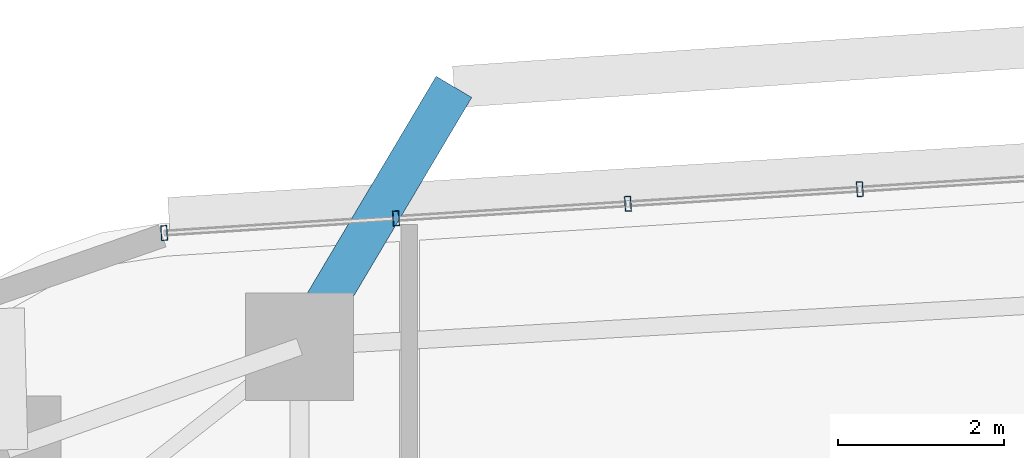
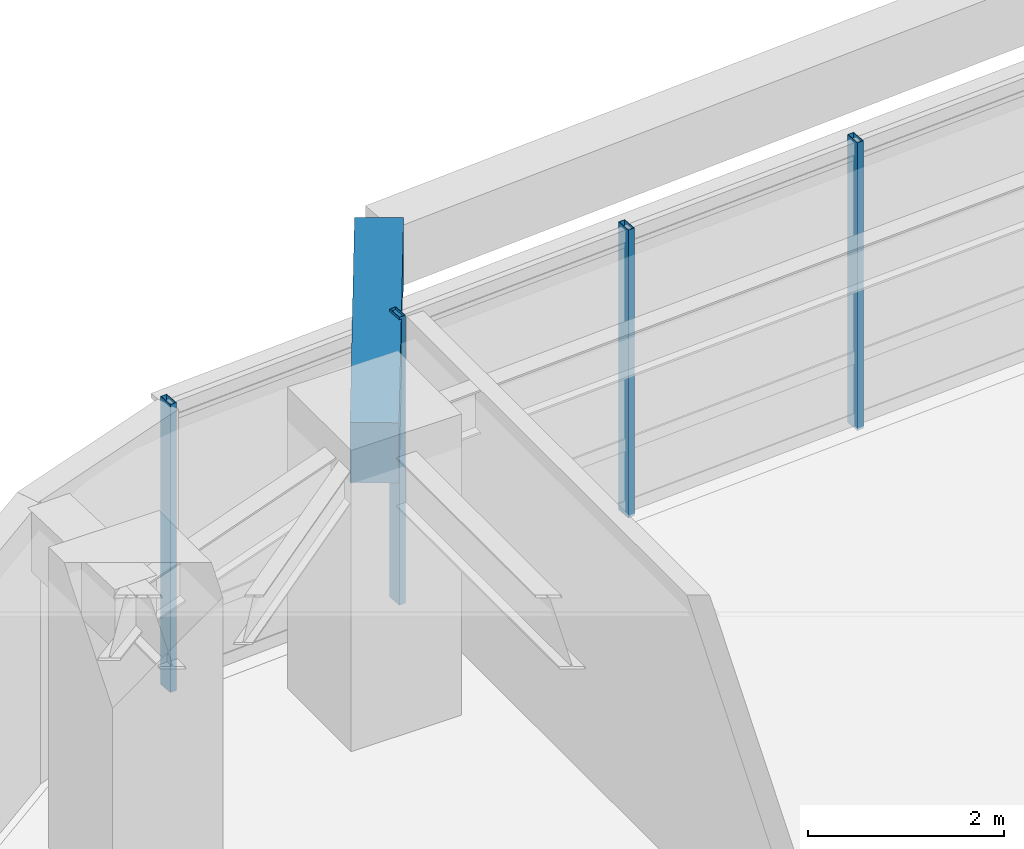
# One storey, part 2 of 11: 4 members, 1 beam, 1 element without a shape of its own.
"""IFC4 building model written with IfcOpenShell, lengths in metres."""

from ifc_helpers import new_model, si_unit, direction, frame, origin, origin_2d, place, context, subcontext, project, spatial, rectangle, hollow_rectangle, extrude, material, material_profile, profile_set, type_object, element, aggregate, save


model = new_model("IFC4")

# Units and contexts
model_context = context("Model", 3, precision=1e-05, world=origin(), true_north=direction((0.0, 1.0)))
body_context = subcontext(model_context, "Body", "Model", "MODEL_VIEW")
ifc_project = project(units=[si_unit("LENGTHUNIT", "METRE"), si_unit("AREAUNIT", "SQUARE_METRE"), si_unit("VOLUMEUNIT", "CUBIC_METRE"), si_unit("PLANEANGLEUNIT", "RADIAN"), si_unit("MASSUNIT", "GRAM", prefix="KILO")], contexts=[model_context])

# Site, building, storey
site_placement = place(None, origin())
site = spatial("IfcSite", under=ifc_project, at=site_placement, CompositionType="ELEMENT")
building_placement = place(site_placement, origin())
building = spatial("IfcBuilding", under=site, at=building_placement, Name="Zulverin Broadcast Headquarters", CompositionType="ELEMENT")
storey_placement = place(building_placement, frame((0.0, 0.0, 78.199951171875)))
storey = spatial("IfcBuildingStorey", under=building, at=storey_placement, Name="L19", CompositionType="ELEMENT", Elevation=78.199951171875)

# Beam
ifc_material_1 = material(Name="Concrete C40/50", Category="concrete")
ifc_material_profile_1 = material_profile(ifc_material_1, rectangle(XDim=0.5, YDim=0.75, at=origin_2d()), Name="Concrete C40/50", Category="concrete")
ifc_profile_set_1 = profile_set([ifc_material_profile_1], Name="Concrete C40/50")
beam_type = type_object("IfcBeamType", Name="BM-RC-500x750", PredefinedType="BEAM", material=ifc_profile_set_1)
beam_placement = place(storey_placement, frame((29.873779296875, 46.482177734375, 3.150146484375), z_axis=(0.511007233639, 0.859576411477, 0.0), x_axis=(-0.859576411477, 0.511007233639, 0.0)))
element("IfcBeam", 1, at=beam_placement, inside=storey, type_object=beam_type, Name="L20 Balcony Column-Framed Cantilever BAL_N-2", PredefinedType="BEAM", context=body_context, shape_type="SweptSolid", body=[
    extrude(rectangle(XDim=0.5, YDim=0.75, at=origin_2d()), origin(), (0.0, 0.0, 1.0), 3.647705078125),
])

# Curtain wall, members
ifc_material_2 = material(Name="Low-zone ribbon unitised curtain wall", Category="aluminium")
curtain_wall_type = type_object("IfcCurtainWallType", Name="CW-TWR-LOW", PredefinedType="USERDEFINED", material=ifc_material_2)
curtain_wall_placement = place(storey_placement, origin())
curtain_wall = element("IfcCurtainWall", 2, at=curtain_wall_placement, inside=storey, type_object=curtain_wall_type, Name="L19 Unitised Curtain Wall CW-L19-E5", ObjectType="UNITISED CURTAIN WALL", PredefinedType="USERDEFINED")
ifc_material_3 = material(Name="Anodized pale-metal aluminium alloy 6063-T6", Category="aluminium")
ifc_material_profile_2 = material_profile(ifc_material_3, hollow_rectangle(XDim=0.074951171875, YDim=0.179931640625, WallThickness=0.0048828125, at=origin_2d()), Name="Anodized pale-metal aluminium alloy 6063-T6", Category="aluminium")
ifc_profile_set_2 = profile_set([ifc_material_profile_2], Name="Anodized pale-metal aluminium alloy 6063-T6")
member_type = type_object("IfcMemberType", Name="CW-MUL-180", PredefinedType="MULLION", material=ifc_profile_set_2)
member_1_placement = place(storey_placement, frame((36.635986328125, 48.38330078125, -0.030029296875), z_axis=(0.0, 0.0, 1.0), x_axis=(-0.998017621976, -0.062935095345, 0.0)))
member_1 = element("IfcMember", 3, at=member_1_placement, type_object=member_type, Name="CW-L19-E5 Mullion 04", PredefinedType="MULLION", context=body_context, shape_type="SweptSolid", body=[
    extrude(hollow_rectangle(XDim=0.074951171875, YDim=0.179931640625, WallThickness=0.0048828125, at=origin_2d()), origin(), (0.0, 0.0, 1.0), 3.5849609375),
])
member_2_placement = place(storey_placement, frame((33.83740234375, 48.206787109375, -0.030029296875), z_axis=(0.0, 0.0, 1.0), x_axis=(-0.998017621976, -0.062935095345, 0.0)))
member_2 = element("IfcMember", 4, at=member_2_placement, type_object=member_type, Name="CW-L19-E5 Mullion 05", PredefinedType="MULLION", context=body_context, shape_type="SweptSolid", body=[
    extrude(hollow_rectangle(XDim=0.074951171875, YDim=0.179931640625, WallThickness=0.0048828125, at=origin_2d()), origin(), (0.0, 0.0, 1.0), 3.5849609375),
])
member_3_placement = place(storey_placement, frame((31.03857421875, 48.030517578125, -0.030029296875), z_axis=(0.0, 0.0, 1.0), x_axis=(-0.998017621976, -0.062935095345, 0.0)))
member_3 = element("IfcMember", 5, at=member_3_placement, type_object=member_type, Name="CW-L19-E5 Mullion 06", PredefinedType="MULLION", context=body_context, shape_type="SweptSolid", body=[
    extrude(hollow_rectangle(XDim=0.074951171875, YDim=0.179931640625, WallThickness=0.0048828125, at=origin_2d()), origin(), (0.0, 0.0, 1.0), 3.5849609375),
])
member_4_placement = place(storey_placement, frame((28.239990234375, 47.85400390625, -0.030029296875), z_axis=(0.0, 0.0, 1.0), x_axis=(-0.998017621976, -0.062935095345, 0.0)))
member_4 = element("IfcMember", 6, at=member_4_placement, type_object=member_type, Name="CW-L19-E5 Mullion 07", PredefinedType="MULLION", context=body_context, shape_type="SweptSolid", body=[
    extrude(hollow_rectangle(XDim=0.074951171875, YDim=0.179931640625, WallThickness=0.0048828125, at=origin_2d()), origin(), (0.0, 0.0, 1.0), 3.5849609375),
])
aggregate(curtain_wall, [member_1, member_2, member_3, member_4])

save(model, "model.ifc")
